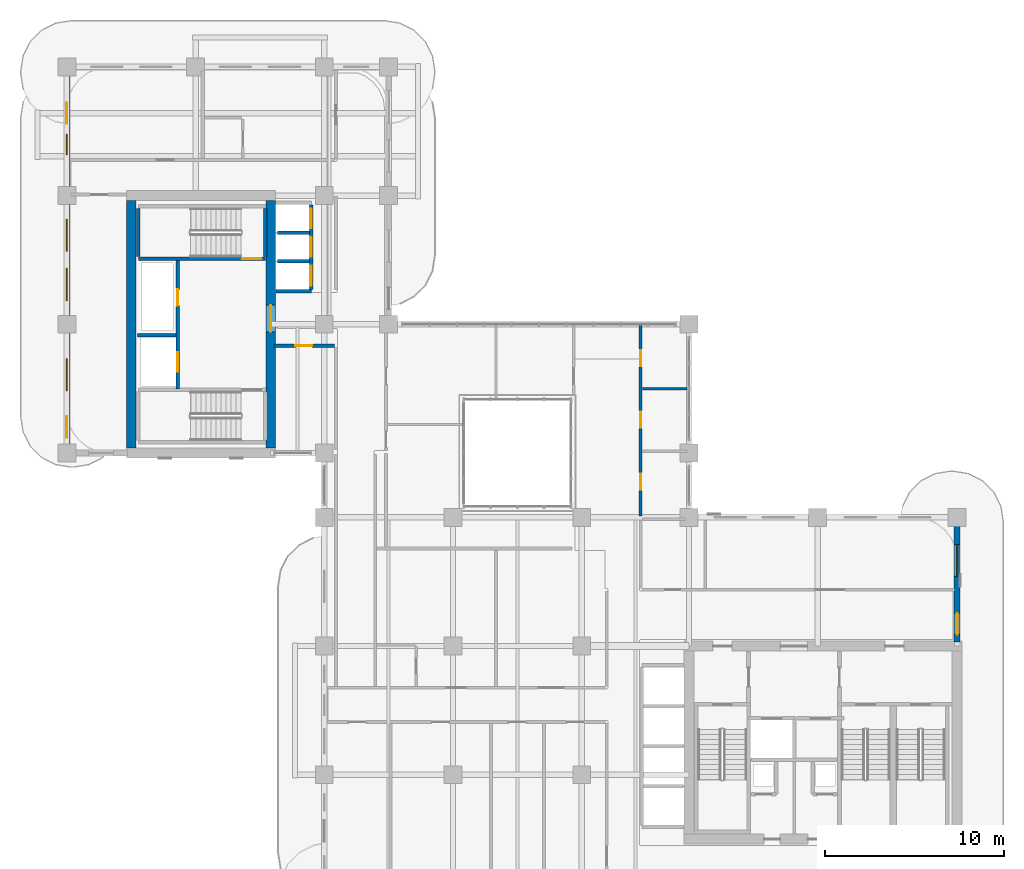
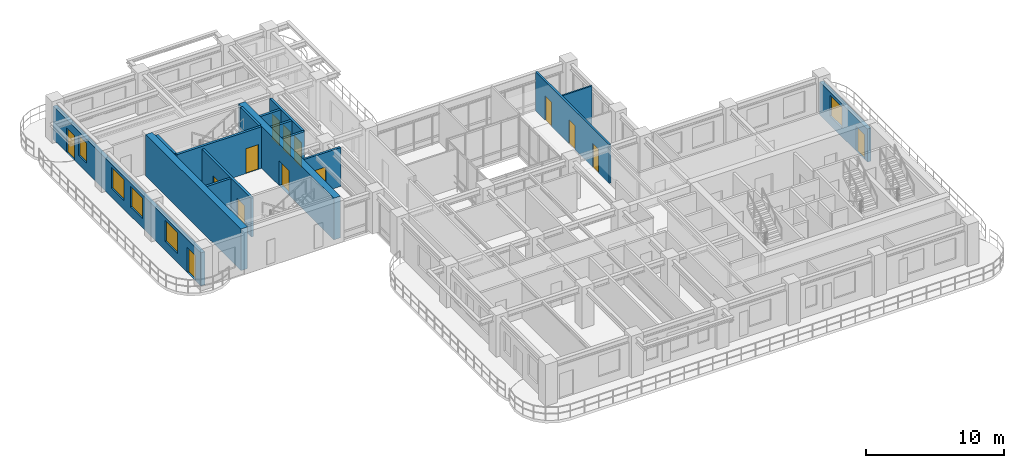
# One storey, part 14 of 20: 16 walls, 14 doors, 5 windows, 19 openings.
"""IFC4 building model written with IfcOpenShell, lengths in metres."""

from ifc_helpers import new_model, si_unit, derived_unit, direction, frame, frame_2d, origin, place, context, subcontext, project, spatial, rectangle, extrude, source, transform, mapped, material, layer, layer_set, type_object, type_shapes, element, fill, save


model = new_model("IFC4")

# Units and contexts
model_context = context("Model", 3, precision=1e-05, world=origin(), true_north=direction((0.0, 1.0)))
body_context = subcontext(model_context, "Body", "Model", "MODEL_VIEW")
ifc_project = project(units=[si_unit("LENGTHUNIT", "METRE"), si_unit("AREAUNIT", "SQUARE_METRE"), si_unit("VOLUMEUNIT", "CUBIC_METRE"), si_unit("PLANEANGLEUNIT", "RADIAN"), si_unit("MASSUNIT", "GRAM", prefix="KILO"), si_unit("THERMODYNAMICTEMPERATUREUNIT", "KELVIN"), si_unit("POWERUNIT", "WATT"), derived_unit("THERMALTRANSMITTANCEUNIT", [(si_unit("POWERUNIT", "WATT"), 1), (si_unit("AREAUNIT", "SQUARE_METRE"), -1), (si_unit("THERMODYNAMICTEMPERATUREUNIT", "KELVIN"), -1)])], contexts=[model_context])

# Site, building, storey
site_placement = place(None, origin())
site = spatial("IfcSite", under=ifc_project, at=site_placement, CompositionType="ELEMENT")
building_placement = place(site_placement, origin())
building = spatial("IfcBuilding", under=site, at=building_placement, Name="Zahravan Archway Hotel and Residences", CompositionType="ELEMENT")
storey_placement = place(building_placement, frame((0.0, 0.0, 137.699951171875)))
storey = spatial("IfcBuildingStorey", under=building, at=storey_placement, Name="L34", CompositionType="ELEMENT", Elevation=137.699951171875)

# Wall
ifc_material_1 = material(Name="Concrete C70/85", Category="concrete")
ifc_layer_1 = layer(ifc_material_1, 0.550048828125, Name="Concrete C70/85", Category="concrete")
ifc_layer_set_1 = layer_set([ifc_layer_1], Name="Concrete C70/85")
wall_type_1 = type_object("IfcWallType", Name="CW-CORE-550", PredefinedType="SHEAR", material=ifc_layer_set_1)
wall_1_placement = place(storey_placement, frame((3.60009765625, 25.47509765625, 0.0), z_axis=(0.0, 0.0, 1.0), x_axis=(0.0, 1.0, 0.0)))
element("IfcWall", 1, at=wall_1_placement, inside=storey, type_object=wall_type_1, Name="L34 Core B Shear W Wall 550 mm", PredefinedType="SHEAR", context=body_context, shape_type="SweptSolid", body=[
    extrude(rectangle(XDim=13.849853515625, YDim=0.550048828125, at=frame_2d((6.9248046875, 0.0))), origin(), (0.0, 0.0, 1.0), 3.699951171875),
])

# Wall, opening, door
wall_2_placement = place(storey_placement, frame((11.39990234375, 25.47509765625, 0.0), z_axis=(0.0, 0.0, 1.0), x_axis=(0.0, 1.0, 0.0)))
wall_2 = element("IfcWall", 2, at=wall_2_placement, inside=storey, type_object=wall_type_1, Name="L34 Core B Shear E Wall 550 mm", PredefinedType="SHEAR", context=body_context, shape_type="SweptSolid", body=[
    extrude(rectangle(XDim=13.849853515625, YDim=0.550048828125, at=frame_2d((6.9248046875, 0.0))), origin(), (0.0, 0.0, 1.0), 3.699951171875),
])
opening_1_placement = place(wall_2_placement, frame((6.4951171875, 0.0, 0.0)))
opening_1 = element("IfcOpeningElement", 3, at=opening_1_placement, cuts=wall_2, Name="Opening FD-L1", PredefinedType="OPENING", context=body_context, shape_type="SweptSolid", body=[
    extrude(rectangle(XDim=1.5, YDim=2.199951171875, at=frame_2d((0.75, 1.10009765625))), frame((0.0, 0.28515625, 0.0), z_axis=(0.0, -1.0, 0.0), x_axis=(1.0, 0.0, 0.0)), (0.0, 0.0, 1.0), 0.570068359375),
])
ifc_material_2 = material(Name="Fire-Rated Painted Steel", Category="steel")
door_type_1 = type_object("IfcDoorType", Name="FD-LOBBY-1500", OperationType="DOUBLE_DOOR_SINGLE_SWING", PredefinedType="DOOR", material=ifc_material_2)
shared_shape_1 = source(origin(), body_context, "Body", "SweptSolid", [
    extrude(rectangle(XDim=1.5, YDim=2.199951171875, at=frame_2d((0.75, 1.10009765625))), frame((0.0, 0.02490234375, 0.0), z_axis=(0.0, -1.0, 0.0), x_axis=(1.0, 0.0, 0.0)), (0.0, 0.0, 1.0), 0.050048828125),
])
type_shapes(door_type_1, [shared_shape_1])
door_1_placement = place(opening_1_placement, origin())
door_1 = element("IfcDoor", 4, at=door_1_placement, inside=storey, type_object=door_type_1, Name="L34 Core B FSAE Lobby Door", OperationType="DOUBLE_DOOR_SINGLE_SWING", OverallHeight=2.199951171875, OverallWidth=1.5, PredefinedType="DOOR", context=body_context, shape_type="MappedRepresentation", body=[
    mapped(shared_shape_1, transform((0.0, 0.0, 0.0), scale=1.0)),
])
fill(opening_1, door_1)

# Wall, openings, door, window
ifc_material_3 = material(Name="Agra Buff Sandstone & Insulated Backup", Category="masonry")
ifc_layer_2 = layer(ifc_material_3, 0.320068359375, Name="Agra Buff Sandstone & Insulated Backup", Category="masonry")
ifc_layer_set_2 = layer_set([ifc_layer_2], Name="Agra Buff Sandstone & Insulated Backup")
wall_type_2 = type_object("IfcWallType", Name="EW-SAND-320", PredefinedType="SOLIDWALL", material=ifc_layer_set_2)
wall_3_placement = place(storey_placement, frame((49.800048828125, 14.6201171875, 0.0), z_axis=(0.0, 0.0, 1.0), x_axis=(0.0, 1.0, 0.0)))
wall_3 = element("IfcWall", 5, at=wall_3_placement, inside=storey, type_object=wall_type_2, Name="L34 Exterior Sandstone Wall WA-EN", PredefinedType="SOLIDWALL", context=body_context, shape_type="SweptSolid", body=[
    extrude(rectangle(XDim=6.929931640625, YDim=0.320068359375, at=frame_2d((3.46484375, 0.0))), origin(), (0.0, 0.0, 1.0), 2.93505859375),
])
opening_2_placement = place(wall_3_placement, frame((0.419921875, 0.0, 0.0)))
opening_2 = element("IfcOpeningElement", 6, at=opening_2_placement, cuts=wall_3, Name="Opening ED-BL1", PredefinedType="OPENING", context=body_context, shape_type="SweptSolid", body=[
    extrude(rectangle(XDim=1.199951171875, YDim=2.199951171875, at=frame_2d((0.60009765625, 1.10009765625))), frame((0.0, 0.169921875, 0.0), z_axis=(0.0, -1.0, 0.0), x_axis=(1.0, 0.0, 0.0)), (0.0, 0.0, 1.0), 0.340087890625),
])
opening_3_placement = place(wall_3_placement, frame((3.658935546875, 0.0, 0.800048828125)))
opening_3 = element("IfcOpeningElement", 7, at=opening_3_placement, cuts=wall_3, Name="Opening W-02", PredefinedType="OPENING", context=body_context, shape_type="SweptSolid", body=[
    extrude(rectangle(XDim=1.800048828125, YDim=1.85009765625, at=frame_2d((0.89990234375, 0.925048828125))), frame((0.0, 0.169921875, 0.0), z_axis=(0.0, -1.0, 0.0), x_axis=(1.0, 0.0, 0.0)), (0.0, 0.0, 1.0), 0.340087890625),
])
ifc_material_4 = material(Name="Bronze-Anodized Glazed Aluminium", Category="aluminium")
door_type_2 = type_object("IfcDoorType", Name="ED-BALC-1200", OperationType="SLIDING_TO_LEFT", PredefinedType="DOOR", material=ifc_material_4)
shared_shape_2 = source(origin(), body_context, "Body", "SweptSolid", [
    extrude(rectangle(XDim=1.199951171875, YDim=2.199951171875, at=frame_2d((0.60009765625, 1.10009765625))), frame((0.0, 0.02490234375, 0.0), z_axis=(0.0, -1.0, 0.0), x_axis=(1.0, 0.0, 0.0)), (0.0, 0.0, 1.0), 0.050048828125),
])
type_shapes(door_type_2, [shared_shape_2])
door_2_placement = place(opening_2_placement, origin())
door_2 = element("IfcDoor", 8, at=door_2_placement, inside=storey, type_object=door_type_2, Name="L34 Outdoor Access Sliding Door (SLB-BAL-L34-EA)", OperationType="SLIDING_TO_LEFT", OverallHeight=2.199951171875, OverallWidth=1.199951171875, PredefinedType="DOOR", context=body_context, shape_type="MappedRepresentation", body=[
    mapped(shared_shape_2, transform((0.0, 0.0, 0.0), scale=1.0)),
])
fill(opening_2, door_2)
ifc_material_5 = material(Name="Bronze-Anodized Thermal-Break Aluminium & Low-E Glass", Category="aluminium")
window_type_1 = type_object("IfcWindowType", Name="WIN-TWR-1800", PartitioningType="DOUBLE_PANEL_VERTICAL", PredefinedType="WINDOW", material=ifc_material_5)
shared_shape_3 = source(origin(), body_context, "Body", "SweptSolid", [
    extrude(rectangle(XDim=1.800048828125, YDim=1.85009765625, at=frame_2d((0.89990234375, 0.925048828125))), frame((0.0, 0.030029296875, 0.0), z_axis=(0.0, -1.0, 0.0), x_axis=(1.0, 0.0, 0.0)), (0.0, 0.0, 1.0), 0.06005859375),
])
type_shapes(window_type_1, [shared_shape_3])
window_1_placement = place(opening_3_placement, origin())
window_1 = element("IfcWindow", 9, at=window_1_placement, inside=storey, type_object=window_type_1, Name="L34 Loggia Window 10", OverallHeight=1.85009765625, OverallWidth=1.800048828125, PartitioningType="DOUBLE_PANEL_VERTICAL", PredefinedType="WINDOW", context=body_context, shape_type="MappedRepresentation", body=[
    mapped(shared_shape_3, transform((0.0, 0.0, 0.0), scale=1.0)),
])
fill(opening_3, window_1)

# Wall, openings, doors, windows
wall_4_placement = place(storey_placement, frame((0.0, 25.25, 0.0), z_axis=(0.0, 0.0, 1.0), x_axis=(0.0, 1.0, 0.0)))
wall_4 = element("IfcWall", 10, at=wall_4_placement, inside=storey, type_object=wall_type_2, Name="L34 Exterior Sandstone Wall WB-W", PredefinedType="SOLIDWALL", context=body_context, shape_type="SweptSolid", body=[
    extrude(rectangle(XDim=21.5, YDim=0.320068359375, at=frame_2d((10.75, 0.0))), origin(), (0.0, 0.0, 1.0), 2.93505859375),
])
opening_4_placement = place(wall_4_placement, frame((18.35693359375, 0.0, 0.0)))
opening_4 = element("IfcOpeningElement", 11, at=opening_4_placement, cuts=wall_4, Name="Opening ED-BL1", PredefinedType="OPENING", context=body_context, shape_type="SweptSolid", body=[
    extrude(rectangle(XDim=1.199951171875, YDim=2.199951171875, at=frame_2d((0.60009765625, 1.10009765625))), frame((0.0, 0.169921875, 0.0), z_axis=(0.0, -1.0, 0.0), x_axis=(1.0, 0.0, 0.0)), (0.0, 0.0, 1.0), 0.340087890625),
])
opening_5_placement = place(wall_4_placement, frame((0.800048828125, 0.0, 0.0)))
opening_5 = element("IfcOpeningElement", 12, at=opening_5_placement, cuts=wall_4, Name="Opening ED-BL1", PredefinedType="OPENING", context=body_context, shape_type="SweptSolid", body=[
    extrude(rectangle(XDim=1.199951171875, YDim=2.199951171875, at=frame_2d((0.60009765625, 1.10009765625))), frame((0.0, 0.169921875, 0.0), z_axis=(0.0, -1.0, 0.0), x_axis=(1.0, 0.0, 0.0)), (0.0, 0.0, 1.0), 0.340087890625),
])
opening_6_placement = place(wall_4_placement, frame((3.425048828125, 0.0, 0.800048828125)))
opening_6 = element("IfcOpeningElement", 13, at=opening_6_placement, cuts=wall_4, Name="Opening W-02", PredefinedType="OPENING", context=body_context, shape_type="SweptSolid", body=[
    extrude(rectangle(XDim=1.800048828125, YDim=1.85009765625, at=frame_2d((0.89990234375, 0.925048828125))), frame((0.0, 0.169921875, 0.0), z_axis=(0.0, -1.0, 0.0), x_axis=(1.0, 0.0, 0.0)), (0.0, 0.0, 1.0), 0.340087890625),
])
opening_7_placement = place(wall_4_placement, frame((8.47509765625, 0.0, 0.800048828125)))
opening_7 = element("IfcOpeningElement", 14, at=opening_7_placement, cuts=wall_4, Name="Opening W-02", PredefinedType="OPENING", context=body_context, shape_type="SweptSolid", body=[
    extrude(rectangle(XDim=1.800048828125, YDim=1.85009765625, at=frame_2d((0.89990234375, 0.925048828125))), frame((0.0, 0.169921875, 0.0), z_axis=(0.0, -1.0, 0.0), x_axis=(1.0, 0.0, 0.0)), (0.0, 0.0, 1.0), 0.340087890625),
])
opening_8_placement = place(wall_4_placement, frame((11.22509765625, 0.0, 0.800048828125)))
opening_8 = element("IfcOpeningElement", 15, at=opening_8_placement, cuts=wall_4, Name="Opening W-02", PredefinedType="OPENING", context=body_context, shape_type="SweptSolid", body=[
    extrude(rectangle(XDim=1.800048828125, YDim=1.85009765625, at=frame_2d((0.89990234375, 0.925048828125))), frame((0.0, 0.169921875, 0.0), z_axis=(0.0, -1.0, 0.0), x_axis=(1.0, 0.0, 0.0)), (0.0, 0.0, 1.0), 0.340087890625),
])
opening_9_placement = place(wall_4_placement, frame((16.632080078125, 0.0, 0.800048828125)))
opening_9 = element("IfcOpeningElement", 16, at=opening_9_placement, cuts=wall_4, Name="Opening W-05", PredefinedType="OPENING", context=body_context, shape_type="SweptSolid", body=[
    extrude(rectangle(XDim=1.14990234375, YDim=1.800048828125, at=frame_2d((0.574951171875, 0.89990234375))), frame((0.0, 0.169921875, 0.0), z_axis=(0.0, -1.0, 0.0), x_axis=(1.0, 0.0, 0.0)), (0.0, 0.0, 1.0), 0.340087890625),
])
door_3_placement = place(opening_4_placement, origin())
door_3 = element("IfcDoor", 17, at=door_3_placement, inside=storey, type_object=door_type_2, Name="L34 Outdoor Access Sliding Door (SLB-BAL-L34-NB)", OperationType="SLIDING_TO_LEFT", OverallHeight=2.199951171875, OverallWidth=1.199951171875, PredefinedType="DOOR", context=body_context, shape_type="MappedRepresentation", body=[
    mapped(shared_shape_2, transform((0.0, 0.0, 0.0), scale=1.0)),
])
fill(opening_4, door_3)
door_4_placement = place(opening_5_placement, origin())
door_4 = element("IfcDoor", 18, at=door_4_placement, inside=storey, type_object=door_type_2, Name="L34 Outdoor Access Sliding Door (SLB-BAL-L34-WB)", OperationType="SLIDING_TO_LEFT", OverallHeight=2.199951171875, OverallWidth=1.199951171875, PredefinedType="DOOR", context=body_context, shape_type="MappedRepresentation", body=[
    mapped(shared_shape_2, transform((0.0, 0.0, 0.0), scale=1.0)),
])
fill(opening_5, door_4)
window_2_placement = place(opening_6_placement, origin())
window_2 = element("IfcWindow", 19, at=window_2_placement, inside=storey, type_object=window_type_1, Name="L34 Loggia Window 22", OverallHeight=1.85009765625, OverallWidth=1.800048828125, PartitioningType="DOUBLE_PANEL_VERTICAL", PredefinedType="WINDOW", context=body_context, shape_type="MappedRepresentation", body=[
    mapped(shared_shape_3, transform((0.0, 0.0, 0.0), scale=1.0)),
])
fill(opening_6, window_2)
window_3_placement = place(opening_7_placement, origin())
window_3 = element("IfcWindow", 20, at=window_3_placement, inside=storey, type_object=window_type_1, Name="L34 Loggia Window 23", OverallHeight=1.85009765625, OverallWidth=1.800048828125, PartitioningType="DOUBLE_PANEL_VERTICAL", PredefinedType="WINDOW", context=body_context, shape_type="MappedRepresentation", body=[
    mapped(shared_shape_3, transform((0.0, 0.0, 0.0), scale=1.0)),
])
fill(opening_7, window_3)
window_4_placement = place(opening_8_placement, origin())
window_4 = element("IfcWindow", 21, at=window_4_placement, inside=storey, type_object=window_type_1, Name="L34 Loggia Window 24", OverallHeight=1.85009765625, OverallWidth=1.800048828125, PartitioningType="DOUBLE_PANEL_VERTICAL", PredefinedType="WINDOW", context=body_context, shape_type="MappedRepresentation", body=[
    mapped(shared_shape_3, transform((0.0, 0.0, 0.0), scale=1.0)),
])
fill(opening_8, window_4)
window_type_2 = type_object("IfcWindowType", Name="WIN-TWR-1150", PartitioningType="SINGLE_PANEL", PredefinedType="WINDOW", material=ifc_material_5)
shared_shape_4 = source(origin(), body_context, "Body", "SweptSolid", [
    extrude(rectangle(XDim=1.14990234375, YDim=1.800048828125, at=frame_2d((0.574951171875, 0.89990234375))), frame((0.0, 0.030029296875, 0.0), z_axis=(0.0, -1.0, 0.0), x_axis=(1.0, 0.0, 0.0)), (0.0, 0.0, 1.0), 0.06005859375),
])
type_shapes(window_type_2, [shared_shape_4])
window_5_placement = place(opening_9_placement, origin())
window_5 = element("IfcWindow", 22, at=window_5_placement, inside=storey, type_object=window_type_2, Name="L34 Loggia Window 25", OverallHeight=1.800048828125, OverallWidth=1.14990234375, PartitioningType="SINGLE_PANEL", PredefinedType="WINDOW", context=body_context, shape_type="MappedRepresentation", body=[
    mapped(shared_shape_4, transform((0.0, 0.0, 0.0), scale=1.0)),
])
fill(opening_9, window_5)

# Wall
ifc_material_6 = material(Name="Acoustic Stud Partition")
ifc_layer_3 = layer(ifc_material_6, 0.125, Name="Acoustic Stud Partition")
ifc_layer_set_3 = layer_set([ifc_layer_3], Name="Acoustic Stud Partition")
wall_type_3 = type_object("IfcWallType", Name="PW-INT-125", PredefinedType="PARTITIONING", material=ifc_layer_set_3)
wall_5_placement = place(storey_placement, frame((32.18994140625, 28.800048828125, 0.0), z_axis=(0.0, 0.0, 1.0), x_axis=(1.0, 0.0, 0.0)))
element("IfcWall", 23, at=wall_5_placement, inside=storey, type_object=wall_type_3, Name="L34 Partition ATR-EM3B", PredefinedType="PARTITIONING", context=body_context, shape_type="SweptSolid", body=[
    extrude(rectangle(XDim=2.5, YDim=0.125, at=frame_2d((1.25, 0.0))), origin(), (0.0, 0.0, 1.0), 3.449951171875),
])

# Wall, openings, doors
ifc_material_7 = material(Name="Fire-Rated Gypsum & Concrete Block", Category="concrete")
ifc_layer_4 = layer(ifc_material_7, 0.199951171875, Name="Fire-Rated Gypsum & Concrete Block", Category="concrete")
ifc_layer_set_4 = layer_set([ifc_layer_4], Name="Fire-Rated Gypsum & Concrete Block")
wall_type_4 = type_object("IfcWallType", Name="PW-SHAFT-200", PredefinedType="PARTITIONING", material=ifc_layer_set_4)
wall_6_placement = place(storey_placement, frame((6.199951171875, 28.7900390625, 0.0), z_axis=(0.0, 0.0, 1.0), x_axis=(0.0, 1.0, 0.0)))
wall_6 = element("IfcWall", 24, at=wall_6_placement, inside=storey, type_object=wall_type_4, Name="L34 Partition CB-FL3E", PredefinedType="PARTITIONING", context=body_context, shape_type="SweptSolid", body=[
    extrude(rectangle(XDim=7.219970703125, YDim=0.199951171875, at=frame_2d((3.60986328125, 0.0))), origin(), (0.0, 0.0, 1.0), 3.449951171875),
])
opening_10_placement = place(wall_6_placement, frame((4.659912109375, 0.0, 0.0)))
opening_10 = element("IfcOpeningElement", 25, at=opening_10_placement, cuts=wall_6, Name="Opening FD-R1", PredefinedType="OPENING", context=body_context, shape_type="SweptSolid", body=[
    extrude(rectangle(XDim=0.89990234375, YDim=2.10009765625, at=frame_2d((0.449951171875, 1.050048828125))), frame((0.0, 0.10986328125, 0.0), z_axis=(0.0, -1.0, 0.0), x_axis=(1.0, 0.0, 0.0)), (0.0, 0.0, 1.0), 0.219970703125),
])
opening_11_placement = place(wall_6_placement, frame((0.9599609375, 0.0, 0.0)))
opening_11 = element("IfcOpeningElement", 26, at=opening_11_placement, cuts=wall_6, Name="Opening LD", PredefinedType="OPENING", context=body_context, shape_type="SweptSolid", body=[
    extrude(rectangle(XDim=1.10009765625, YDim=2.199951171875, at=frame_2d((0.550048828125, 1.10009765625))), frame((0.0, 0.10986328125, 0.0), z_axis=(0.0, -1.0, 0.0), x_axis=(1.0, 0.0, 0.0)), (0.0, 0.0, 1.0), 0.219970703125),
])
door_type_3 = type_object("IfcDoorType", Name="FD-RISER-900", OperationType="NOTDEFINED", PredefinedType="DOOR", material=ifc_material_2)
shared_shape_5 = source(origin(), body_context, "Body", "SweptSolid", [
    extrude(rectangle(XDim=0.89990234375, YDim=2.10009765625, at=frame_2d((0.449951171875, 1.050048828125))), frame((0.0, 0.02490234375, 0.0), z_axis=(0.0, -1.0, 0.0), x_axis=(1.0, 0.0, 0.0)), (0.0, 0.0, 1.0), 0.050048828125),
])
type_shapes(door_type_3, [shared_shape_5])
door_5_placement = place(opening_10_placement, origin())
door_5 = element("IfcDoor", 27, at=door_5_placement, inside=storey, type_object=door_type_3, Name="L34 Core B Riser Door", OperationType="SINGLE_SWING_LEFT", OverallHeight=2.10009765625, OverallWidth=0.89990234375, PredefinedType="DOOR", context=body_context, shape_type="MappedRepresentation", body=[
    mapped(shared_shape_5, transform((0.0, 0.0, 0.0), scale=1.0)),
])
fill(opening_10, door_5)
ifc_material_8 = material(Name="Brushed Stainless Steel", Category="steel")
door_type_4 = type_object("IfcDoorType", Name="DR-LIFT-LD", OperationType="SLIDING_TO_LEFT", PredefinedType="DOOR", material=ifc_material_8)
shared_shape_6 = source(origin(), body_context, "Body", "SweptSolid", [
    extrude(rectangle(XDim=1.10009765625, YDim=2.199951171875, at=frame_2d((0.550048828125, 1.10009765625))), frame((0.0, 0.02490234375, 0.0), z_axis=(0.0, -1.0, 0.0), x_axis=(1.0, 0.0, 0.0)), (0.0, 0.0, 1.0), 0.050048828125),
])
type_shapes(door_type_4, [shared_shape_6])
door_6_placement = place(opening_11_placement, origin())
door_6 = element("IfcDoor", 28, at=door_6_placement, inside=storey, type_object=door_type_4, Name="L34 Lift FL-3 Sliding Landing Door", OperationType="SLIDING_TO_LEFT", OverallHeight=2.199951171875, OverallWidth=1.10009765625, PredefinedType="DOOR", context=body_context, shape_type="MappedRepresentation", body=[
    mapped(shared_shape_6, transform((0.0, 0.0, 0.0), scale=1.0)),
])
fill(opening_11, door_6)

# Walls
wall_7_placement = place(storey_placement, frame((3.9599609375, 31.780029296875, 0.0), z_axis=(0.0, 0.0, 1.0), x_axis=(1.0, 0.0, 0.0)))
element("IfcWall", 29, at=wall_7_placement, inside=storey, type_object=wall_type_4, Name="L34 Partition CB-FL3N", PredefinedType="PARTITIONING", context=body_context, shape_type="SweptSolid", body=[
    extrude(rectangle(XDim=2.130126953125, YDim=0.199951171875, at=frame_2d((1.06494140625, 0.0))), origin(), (0.0, 0.0, 1.0), 3.449951171875),
])
wall_8_placement = place(storey_placement, frame((11.68505859375, 34.25, 0.0), z_axis=(0.0, 0.0, 1.0), x_axis=(1.0, 0.0, 0.0)))
element("IfcWall", 30, at=wall_8_placement, inside=storey, type_object=wall_type_4, Name="L34 Partition B2-S", PredefinedType="PARTITIONING", context=body_context, shape_type="SweptSolid", body=[
    extrude(rectangle(XDim=1.98486328125, YDim=0.199951171875, at=frame_2d((0.992431640625, 0.0))), origin(), (0.0, 0.0, 1.0), 3.449951171875),
])

# Wall, openings, doors
wall_9_placement = place(storey_placement, frame((13.679931640625, 34.360107421875, 0.0), z_axis=(0.0, 0.0, 1.0), x_axis=(0.0, 1.0, 0.0)))
wall_9 = element("IfcWall", 31, at=wall_9_placement, inside=storey, type_object=wall_type_4, Name="L34 Partition B2-E", PredefinedType="PARTITIONING", context=body_context, shape_type="SweptSolid", body=[
    extrude(rectangle(XDim=4.719970703125, YDim=0.199951171875, at=frame_2d((2.35986328125, 0.0))), origin(), (0.0, 0.0, 1.0), 3.449951171875),
])
opening_12_placement = place(wall_9_placement, frame((0.2099609375, 0.0, 0.0)))
opening_12 = element("IfcOpeningElement", 32, at=opening_12_placement, cuts=wall_9, Name="Opening LD", PredefinedType="OPENING", context=body_context, shape_type="SweptSolid", body=[
    extrude(rectangle(XDim=1.10009765625, YDim=2.199951171875, at=frame_2d((0.550048828125, 1.10009765625))), frame((0.0, 0.10986328125, 0.0), z_axis=(0.0, -1.0, 0.0), x_axis=(1.0, 0.0, 0.0)), (0.0, 0.0, 1.0), 0.219970703125),
])
opening_13_placement = place(wall_9_placement, frame((1.81005859375, 0.0, 0.0)))
opening_13 = element("IfcOpeningElement", 33, at=opening_13_placement, cuts=wall_9, Name="Opening LD", PredefinedType="OPENING", context=body_context, shape_type="SweptSolid", body=[
    extrude(rectangle(XDim=1.10009765625, YDim=2.199951171875, at=frame_2d((0.550048828125, 1.10009765625))), frame((0.0, 0.10986328125, 0.0), z_axis=(0.0, -1.0, 0.0), x_axis=(1.0, 0.0, 0.0)), (0.0, 0.0, 1.0), 0.219970703125),
])
opening_14_placement = place(wall_9_placement, frame((3.409912109375, 0.0, 0.0)))
opening_14 = element("IfcOpeningElement", 34, at=opening_14_placement, cuts=wall_9, Name="Opening LD", PredefinedType="OPENING", context=body_context, shape_type="SweptSolid", body=[
    extrude(rectangle(XDim=1.10009765625, YDim=2.199951171875, at=frame_2d((0.550048828125, 1.10009765625))), frame((0.0, 0.10986328125, 0.0), z_axis=(0.0, -1.0, 0.0), x_axis=(1.0, 0.0, 0.0)), (0.0, 0.0, 1.0), 0.219970703125),
])
door_7_placement = place(opening_12_placement, origin())
door_7 = element("IfcDoor", 35, at=door_7_placement, inside=storey, type_object=door_type_4, Name="L34 Lift LP-4 Sliding Landing Door", OperationType="SLIDING_TO_LEFT", OverallHeight=2.199951171875, OverallWidth=1.10009765625, PredefinedType="DOOR", context=body_context, shape_type="MappedRepresentation", body=[
    mapped(shared_shape_6, transform((0.0, 0.0, 0.0), scale=1.0)),
])
fill(opening_12, door_7)
door_8_placement = place(opening_13_placement, origin())
door_8 = element("IfcDoor", 36, at=door_8_placement, inside=storey, type_object=door_type_4, Name="L34 Lift LP-5 Sliding Landing Door", OperationType="SLIDING_TO_LEFT", OverallHeight=2.199951171875, OverallWidth=1.10009765625, PredefinedType="DOOR", context=body_context, shape_type="MappedRepresentation", body=[
    mapped(shared_shape_6, transform((0.0, 0.0, 0.0), scale=1.0)),
])
fill(opening_13, door_8)
door_9_placement = place(opening_14_placement, origin())
door_9 = element("IfcDoor", 37, at=door_9_placement, inside=storey, type_object=door_type_4, Name="L34 Lift LP-6 Sliding Landing Door", OperationType="SLIDING_TO_LEFT", OverallHeight=2.199951171875, OverallWidth=1.10009765625, PredefinedType="DOOR", context=body_context, shape_type="MappedRepresentation", body=[
    mapped(shared_shape_6, transform((0.0, 0.0, 0.0), scale=1.0)),
])
fill(opening_14, door_9)

# Walls
for number, where, z_axis, x_axis, name in (
    (38, (11.784912109375, 35.919921875, 0.0), (0.0, 0.0, 1.0), (1.0, 0.0, 0.0), "L34 Partition B2-D"),
    (39, (11.784912109375, 37.52001953125, 0.0), (0.0, 0.0, 1.0), (1.0, 0.0, 0.0), "L34 Partition B2-D"),
):
    element("IfcWall", number, at=place(storey_placement, frame(where, z_axis=z_axis, x_axis=x_axis)), inside=storey, type_object=wall_type_4, Name=name, PredefinedType="PARTITIONING", context=body_context, shape_type="SweptSolid", body=[
        extrude(rectangle(XDim=1.78515625, YDim=0.199951171875, at=frame_2d((0.892578125, 0.0))), origin(), (0.0, 0.0, 1.0), 3.449951171875),
    ])

# Wall, opening, door
ifc_layer_5 = layer(ifc_material_6, 0.169921875, Name="Acoustic Stud Partition")
ifc_layer_set_5 = layer_set([ifc_layer_5], Name="Acoustic Stud Partition")
wall_type_5 = type_object("IfcWallType", Name="PW-UNIT-170", PredefinedType="PARTITIONING", material=ifc_layer_set_5)
wall_10_placement = place(storey_placement, frame((11.590087890625, 31.199951171875, 0.0), z_axis=(0.0, 0.0, 1.0), x_axis=(1.0, 0.0, 0.0)))
wall_10 = element("IfcWall", 40, at=wall_10_placement, inside=storey, type_object=wall_type_5, Name="L34 Partition FB1-N", PredefinedType="PARTITIONING", context=body_context, shape_type="SweptSolid", body=[
    extrude(rectangle(XDim=3.369873046875, YDim=0.169921875, at=frame_2d((1.68505859375, 0.0))), origin(), (0.0, 0.0, 1.0), 3.449951171875),
])
opening_15_placement = place(wall_10_placement, frame((1.18505859375, 0.0, 0.0)))
opening_15 = element("IfcOpeningElement", 41, at=opening_15_placement, cuts=wall_10, Name="Opening D-I1", PredefinedType="OPENING", context=body_context, shape_type="SweptSolid", body=[
    extrude(rectangle(XDim=0.949951171875, YDim=2.14990234375, at=frame_2d((0.47509765625, 1.074951171875))), frame((0.0, 0.094970703125, 0.0), z_axis=(0.0, -1.0, 0.0), x_axis=(1.0, 0.0, 0.0)), (0.0, 0.0, 1.0), 0.18994140625),
])
ifc_material_9 = material(Name="Hardwood Veneer Timber", Category="wood")
door_type_5 = type_object("IfcDoorType", Name="ID-INT-950", OperationType="NOTDEFINED", PredefinedType="DOOR", material=ifc_material_9)
shared_shape_7 = source(origin(), body_context, "Body", "SweptSolid", [
    extrude(rectangle(XDim=0.949951171875, YDim=2.14990234375, at=frame_2d((0.47509765625, 1.074951171875))), frame((0.0, 0.02490234375, 0.0), z_axis=(0.0, -1.0, 0.0), x_axis=(1.0, 0.0, 0.0)), (0.0, 0.0, 1.0), 0.050048828125),
])
type_shapes(door_type_5, [shared_shape_7])
door_10_placement = place(opening_15_placement, origin())
door_10 = element("IfcDoor", 42, at=door_10_placement, inside=storey, type_object=door_type_5, Name="L34 Freed Bank 1 Reading Salon Door", OperationType="SINGLE_SWING_LEFT", OverallHeight=2.14990234375, OverallWidth=0.949951171875, PredefinedType="DOOR", context=body_context, shape_type="MappedRepresentation", body=[
    mapped(shared_shape_7, transform((0.0, 0.0, 0.0), scale=1.0)),
])
fill(opening_15, door_10)

# Wall, openings, doors
wall_11_placement = place(storey_placement, frame((32.10009765625, 21.669921875, 0.0), z_axis=(0.0, 0.0, 1.0), x_axis=(0.0, 1.0, 0.0)))
wall_11 = element("IfcWall", 43, at=wall_11_placement, inside=storey, type_object=wall_type_5, Name="L34 Partition ATR-E", PredefinedType="PARTITIONING", context=body_context, shape_type="SweptSolid", body=[
    extrude(rectangle(XDim=10.7021484375, YDim=0.169921875, at=frame_2d((5.35107421875, 0.0))), origin(), (0.0, 0.0, 1.0), 3.449951171875),
])
opening_16_placement = place(wall_11_placement, frame((1.47998046875, 0.0, 0.0)))
opening_16 = element("IfcOpeningElement", 44, at=opening_16_placement, cuts=wall_11, Name="Opening D-I2", PredefinedType="OPENING", context=body_context, shape_type="SweptSolid", body=[
    extrude(rectangle(XDim=0.89990234375, YDim=2.14990234375, at=frame_2d((0.449951171875, 1.074951171875))), frame((0.0, 0.094970703125, 0.0), z_axis=(0.0, -1.0, 0.0), x_axis=(1.0, 0.0, 0.0)), (0.0, 0.0, 1.0), 0.18994140625),
])
opening_17_placement = place(wall_11_placement, frame((4.929931640625, 0.0, 0.0)))
opening_17 = element("IfcOpeningElement", 45, at=opening_17_placement, cuts=wall_11, Name="Opening D-I2", PredefinedType="OPENING", context=body_context, shape_type="SweptSolid", body=[
    extrude(rectangle(XDim=0.89990234375, YDim=2.14990234375, at=frame_2d((0.449951171875, 1.074951171875))), frame((0.0, 0.094970703125, 0.0), z_axis=(0.0, -1.0, 0.0), x_axis=(1.0, 0.0, 0.0)), (0.0, 0.0, 1.0), 0.18994140625),
])
opening_18_placement = place(wall_11_placement, frame((8.3798828125, 0.0, 0.0)))
opening_18 = element("IfcOpeningElement", 46, at=opening_18_placement, cuts=wall_11, Name="Opening D-I2", PredefinedType="OPENING", context=body_context, shape_type="SweptSolid", body=[
    extrude(rectangle(XDim=0.89990234375, YDim=2.14990234375, at=frame_2d((0.449951171875, 1.074951171875))), frame((0.0, 0.094970703125, 0.0), z_axis=(0.0, -1.0, 0.0), x_axis=(1.0, 0.0, 0.0)), (0.0, 0.0, 1.0), 0.18994140625),
])
door_type_6 = type_object("IfcDoorType", Name="ID-INT-900", OperationType="NOTDEFINED", PredefinedType="DOOR", material=ifc_material_9)
shared_shape_8 = source(origin(), body_context, "Body", "SweptSolid", [
    extrude(rectangle(XDim=0.89990234375, YDim=2.14990234375, at=frame_2d((0.449951171875, 1.074951171875))), frame((0.0, 0.02490234375, 0.0), z_axis=(0.0, -1.0, 0.0), x_axis=(1.0, 0.0, 0.0)), (0.0, 0.0, 1.0), 0.050048828125),
])
type_shapes(door_type_6, [shared_shape_8])
door_11_placement = place(opening_16_placement, origin())
door_11 = element("IfcDoor", 47, at=door_11_placement, inside=storey, type_object=door_type_6, Name="L34 Atrium Pantry Door", OperationType="SINGLE_SWING_LEFT", OverallHeight=2.14990234375, OverallWidth=0.89990234375, PredefinedType="DOOR", context=body_context, shape_type="MappedRepresentation", body=[
    mapped(shared_shape_8, transform((0.0, 0.0, 0.0), scale=1.0)),
])
fill(opening_16, door_11)
door_12_placement = place(opening_17_placement, origin())
door_12 = element("IfcDoor", 48, at=door_12_placement, inside=storey, type_object=door_type_6, Name="L34 Atrium Study Door", OperationType="SINGLE_SWING_RIGHT", OverallHeight=2.14990234375, OverallWidth=0.89990234375, PredefinedType="DOOR", context=body_context, shape_type="MappedRepresentation", body=[
    mapped(shared_shape_8, transform((0.0, 0.0, 0.0), scale=1.0)),
])
fill(opening_17, door_12)
door_13_placement = place(opening_18_placement, origin())
door_13 = element("IfcDoor", 49, at=door_13_placement, inside=storey, type_object=door_type_6, Name="L34 Atrium Clinic Door", OperationType="SINGLE_SWING_LEFT", OverallHeight=2.14990234375, OverallWidth=0.89990234375, PredefinedType="DOOR", context=body_context, shape_type="MappedRepresentation", body=[
    mapped(shared_shape_8, transform((0.0, 0.0, 0.0), scale=1.0)),
])
fill(opening_18, door_13)

# Walls
ifc_material_10 = material(Name="Concrete C50/60", Category="concrete")
ifc_layer_6 = layer(ifc_material_10, 0.199951171875, Name="Concrete C50/60", Category="concrete")
ifc_layer_set_6 = layer_set([ifc_layer_6], Name="Concrete C50/60")
wall_type_6 = type_object("IfcWallType", Name="SW-STAIR-200", PredefinedType="SHEAR", material=ifc_layer_set_6)
for number, where, z_axis, x_axis, name in (
    (50, (4.0, 36.179931640625, 0.0), (0.0, 0.0, 1.0), (0.0, 1.0, 0.0), "L34 Stairwell RC Wall CB-SB2W"),
    (51, (11.10009765625, 36.179931640625, 0.0), (0.0, 0.0, 1.0), (0.0, 1.0, 0.0), "L34 Stairwell RC Wall CB-SB2E"),
):
    element("IfcWall", number, at=place(storey_placement, frame(where, z_axis=z_axis, x_axis=x_axis)), inside=storey, type_object=wall_type_6, Name=name, PredefinedType="SHEAR", context=body_context, shape_type="SweptSolid", body=[
        extrude(rectangle(XDim=2.699951171875, YDim=0.199951171875, at=frame_2d((1.35009765625, 0.0))), origin(), (0.0, 0.0, 1.0), 3.699951171875),
    ])

# Wall, opening, door
wall_12_placement = place(storey_placement, frame((4.0, 36.06005859375, 0.0), z_axis=(0.0, 0.0, 1.0), x_axis=(1.0, 0.0, 0.0)))
wall_12 = element("IfcWall", 52, at=wall_12_placement, inside=storey, type_object=wall_type_6, Name="L34 Stairwell RC Wall CB-SB2S", PredefinedType="SHEAR", context=body_context, shape_type="SweptSolid", body=[
    extrude(rectangle(XDim=7.10009765625, YDim=0.199951171875, at=frame_2d((3.550048828125, 0.0))), origin(), (0.0, 0.0, 1.0), 3.699951171875),
])
opening_19_placement = place(wall_12_placement, frame((5.81494140625, 0.0, 0.0)))
opening_19 = element("IfcOpeningElement", 53, at=opening_19_placement, cuts=wall_12, Name="Opening FD-S1", PredefinedType="OPENING", context=body_context, shape_type="SweptSolid", body=[
    extrude(rectangle(XDim=1.050048828125, YDim=2.199951171875, at=frame_2d((0.52490234375, 1.10009765625))), frame((0.0, 0.10986328125, 0.0), z_axis=(0.0, -1.0, 0.0), x_axis=(1.0, 0.0, 0.0)), (0.0, 0.0, 1.0), 0.219970703125),
])
door_type_7 = type_object("IfcDoorType", Name="FD-STAIR-1100", OperationType="NOTDEFINED", PredefinedType="DOOR", material=ifc_material_2)
shared_shape_9 = source(origin(), body_context, "Body", "SweptSolid", [
    extrude(rectangle(XDim=1.050048828125, YDim=2.199951171875, at=frame_2d((0.52490234375, 1.10009765625))), frame((0.0, 0.02490234375, 0.0), z_axis=(0.0, -1.0, 0.0), x_axis=(1.0, 0.0, 0.0)), (0.0, 0.0, 1.0), 0.050048828125),
])
type_shapes(door_type_7, [shared_shape_9])
door_14_placement = place(opening_19_placement, origin())
door_14 = element("IfcDoor", 54, at=door_14_placement, inside=storey, type_object=door_type_7, Name="L34 Stair ST-B2 Door", OperationType="SINGLE_SWING_RIGHT", OverallHeight=2.199951171875, OverallWidth=1.050048828125, PredefinedType="DOOR", context=body_context, shape_type="MappedRepresentation", body=[
    mapped(shared_shape_9, transform((0.0, 0.0, 0.0), scale=1.0)),
])
fill(opening_19, door_14)

save(model, "model.ifc")
